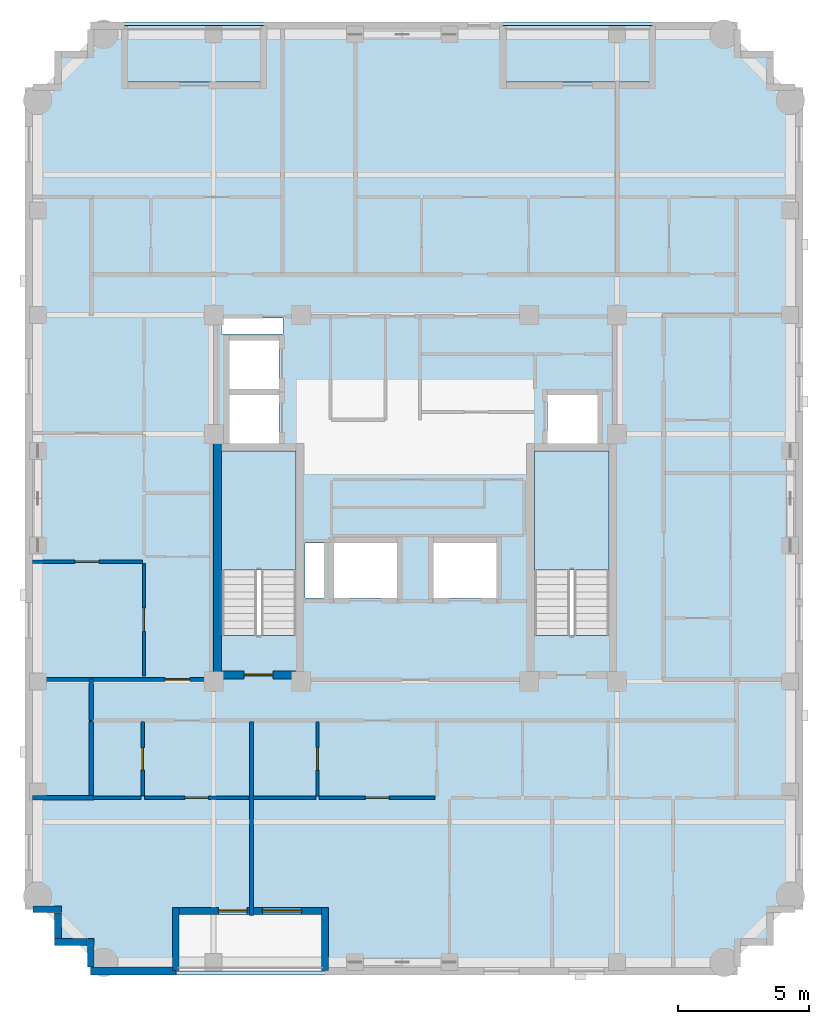
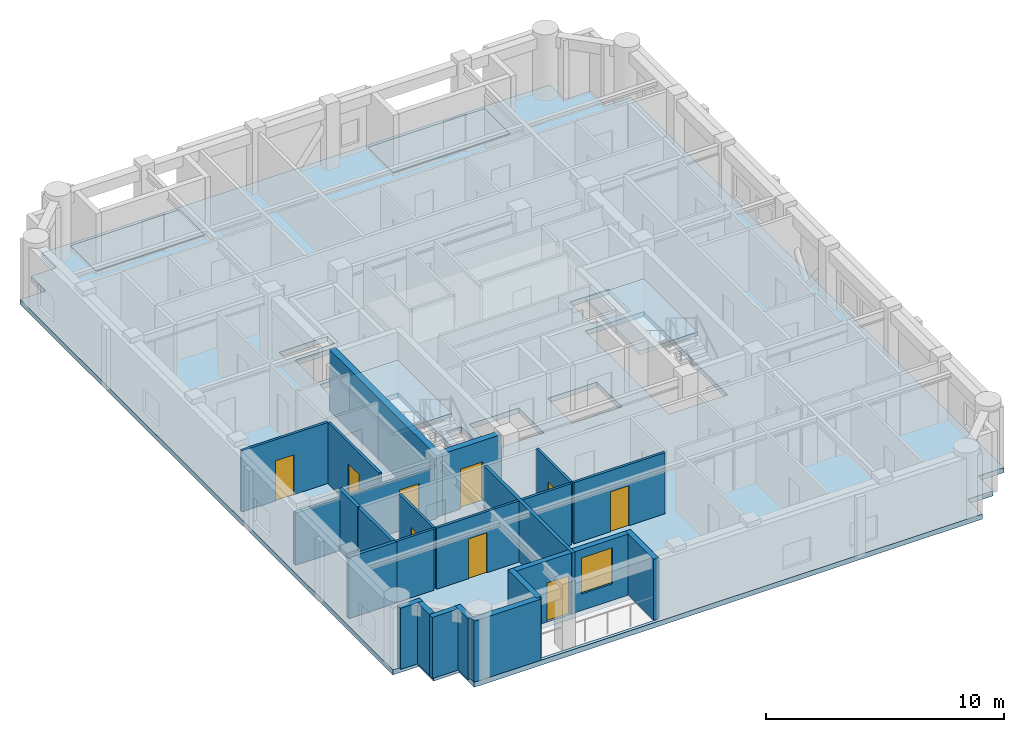
# One storey, part 2 of 10: 23 walls, 9 doors, 5 slabs, 1 window, 10 openings, 2 elements without a shape of their own.
"""IFC4 building model written with IfcOpenShell, lengths in metres."""

from ifc_helpers import new_model, si_unit, derived_unit, direction, frame, frame_2d, origin, place, context, subcontext, project, spatial, polyline, rectangle, outline, extrude, material, layer, layer_set, type_object, element, fill, aggregate, save


model = new_model("IFC4")

# Units and contexts
model_context = context("Model", 3, precision=1e-05, world=origin(), true_north=direction((0.0, 1.0)))
body_context = subcontext(model_context, "Body", "Model", "MODEL_VIEW")
ifc_project = project(units=[si_unit("LENGTHUNIT", "METRE"), si_unit("AREAUNIT", "SQUARE_METRE"), si_unit("VOLUMEUNIT", "CUBIC_METRE"), si_unit("PLANEANGLEUNIT", "RADIAN"), si_unit("MASSUNIT", "GRAM", prefix="KILO"), derived_unit("THERMALTRANSMITTANCEUNIT", [(si_unit("MASSUNIT", "GRAM", prefix="KILO"), 1), (si_unit("TIMEUNIT", "SECOND"), -3), (si_unit("THERMODYNAMICTEMPERATUREUNIT", "KELVIN"), -1)])], contexts=[model_context])

# Site, building, storey
site_placement = place(None, origin())
site = spatial("IfcSite", under=ifc_project, at=site_placement, CompositionType="ELEMENT")
building_placement = place(site_placement, origin())
building = spatial("IfcBuilding", under=site, at=building_placement, Name="Korrvale Station Residences", CompositionType="ELEMENT")
storey_placement = place(building_placement, frame((0.0, 0.0, 217.300048828125)))
storey = spatial("IfcBuildingStorey", under=building, at=storey_placement, Name="L63", CompositionType="ELEMENT", Elevation=217.300048828125)

# Slabs
ifc_material_1 = material(Name="Concrete C50/60", Category="concrete")
ifc_layer_1 = layer(ifc_material_1, 0.219970703125, Name="Concrete C50/60")
ifc_layer_set_1 = layer_set([ifc_layer_1], Name="Concrete C50/60")
slab_type_1 = type_object("IfcSlabType", Name="SLB-BAL-220", PredefinedType="FLOOR", material=ifc_layer_set_1)
slab_1_placement = place(storey_placement, frame((0.0, 0.0, -0.219970703125)))
element("IfcSlab", 1, at=slab_1_placement, inside=storey, type_object=slab_type_1, Name="L63 Recessed Loggia Balcony Slab BAL-L63-N1", PredefinedType="FLOOR", context=body_context, shape_type="SweptSolid", body=[
    extrude(outline(polyline([(28.85009765625, 37.89990234375), (34.550048828125, 37.89990234375), (34.550048828125, 40.050048828125), (28.85009765625, 40.050048828125), (28.85009765625, 37.89990234375)])), origin(), (0.0, 0.0, 1.0), 0.219970703125),
])
slab_2_placement = place(storey_placement, frame((0.0, 0.0, -0.219970703125)))
element("IfcSlab", 2, at=slab_2_placement, inside=storey, type_object=slab_type_1, Name="L63 Recessed Loggia Balcony Slab BAL-L63-N2", PredefinedType="FLOOR", context=body_context, shape_type="SweptSolid", body=[
    extrude(outline(polyline([(14.39990234375, 37.89990234375), (19.699951171875, 37.89990234375), (19.699951171875, 40.050048828125), (14.39990234375, 40.050048828125), (14.39990234375, 37.89990234375)])), origin(), (0.0, 0.0, 1.0), 0.219970703125),
])
ifc_layer_2 = layer(ifc_material_1, 0.260009765625, Name="Concrete C50/60")
ifc_layer_set_2 = layer_set([ifc_layer_2], Name="Concrete C50/60")
slab_type_2 = type_object("IfcSlabType", Name="SLB-FLR-260", PredefinedType="FLOOR", material=ifc_layer_set_2)
slab_3_placement = place(storey_placement, frame((0.0, 0.0, -0.260009765625)))
element("IfcSlab", 3, at=slab_3_placement, inside=storey, type_object=slab_type_2, Name="L63 Suspended Structural Floor Slab", PredefinedType="FLOOR", context=body_context, shape_type="SweptSolid", body=[
    extrude(outline(polyline([(13.10009765625, 3.800048828125), (37.800048828125, 3.800048828125), (37.800048828125, 5.050048828125), (39.050048828125, 5.050048828125), (39.050048828125, 6.300048828125), (40.300048828125, 6.300048828125), (40.300048828125, 37.699951171875), (39.050048828125, 37.699951171875), (39.050048828125, 38.949951171875), (37.800048828125, 38.949951171875), (37.800048828125, 40.199951171875), (13.10009765625, 40.199951171875), (13.10009765625, 38.949951171875), (11.85009765625, 38.949951171875), (11.85009765625, 37.699951171875), (10.60009765625, 37.699951171875), (10.60009765625, 6.300048828125), (11.85009765625, 6.300048828125), (11.85009765625, 5.050048828125), (13.10009765625, 5.050048828125), (13.10009765625, 3.800048828125)]), holes=[polyline([(20.949951171875, 16.751953125), (20.949951171875, 23.800048828125), (18.10009765625, 23.800048828125), (18.10009765625, 16.751953125), (20.949951171875, 16.751953125)]), polyline([(32.89990234375, 16.751953125), (32.89990234375, 23.800048828125), (30.050048828125, 23.800048828125), (30.050048828125, 16.751953125), (32.89990234375, 16.751953125)]), polyline([(18.39990234375, 24.10009765625), (20.300048828125, 24.10009765625), (20.300048828125, 25.949951171875), (18.39990234375, 25.949951171875), (18.39990234375, 24.10009765625)]), polyline([(18.39990234375, 26.169921875), (20.300048828125, 26.169921875), (20.300048828125, 28.02001953125), (18.39990234375, 28.02001953125), (18.39990234375, 26.169921875)]), polyline([(30.550048828125, 24.10009765625), (32.449951171875, 24.10009765625), (32.449951171875, 25.949951171875), (30.550048828125, 25.949951171875), (30.550048828125, 24.10009765625)]), polyline([(22.39990234375, 18.199951171875), (24.800048828125, 18.199951171875), (24.800048828125, 20.300048828125), (22.39990234375, 20.300048828125), (22.39990234375, 18.199951171875)]), polyline([(26.199951171875, 18.199951171875), (28.60009765625, 18.199951171875), (28.60009765625, 20.300048828125), (26.199951171875, 20.300048828125), (26.199951171875, 18.199951171875)]), polyline([(18.10009765625, 28.280029296875), (20.449951171875, 28.280029296875), (20.449951171875, 28.8798828125), (18.10009765625, 28.8798828125), (18.10009765625, 28.280029296875)]), polyline([(21.280029296875, 18.199951171875), (22.02001953125, 18.199951171875), (22.02001953125, 20.300048828125), (21.280029296875, 20.300048828125), (21.280029296875, 18.199951171875)]), polyline([(16.35009765625, 3.949951171875), (22.050048828125, 3.949951171875), (22.050048828125, 6.10009765625), (16.35009765625, 6.10009765625), (16.35009765625, 3.949951171875)]), polyline([(28.85009765625, 37.89990234375), (34.550048828125, 37.89990234375), (34.550048828125, 40.050048828125), (28.85009765625, 40.050048828125), (28.85009765625, 37.89990234375)]), polyline([(14.39990234375, 37.89990234375), (19.699951171875, 37.89990234375), (19.699951171875, 40.050048828125), (14.39990234375, 40.050048828125), (14.39990234375, 37.89990234375)])]), origin(), (0.0, 0.0, 1.0), 0.260009765625),
])

# Stair, slab
stair_type = type_object("IfcStairType", Name="STR-DL-1350-20R-1700", PredefinedType="HALF_TURN_STAIR", material=ifc_material_1)
stair_1_placement = place(storey_placement, origin())
stair_1 = element("IfcStair", 4, at=stair_1_placement, inside=storey, type_object=stair_type, Name="L63 Exit Stair 1", PredefinedType="HALF_TURN_STAIR")
ifc_layer_3 = layer(ifc_material_1, 0.199951171875, Name="Concrete C50/60")
ifc_layer_set_3 = layer_set([ifc_layer_3], Name="Concrete C50/60")
slab_type_3 = type_object("IfcSlabType", Name="SLB-LND-200", PredefinedType="LANDING", material=ifc_layer_set_3)
slab_4_placement = place(storey_placement, frame((0.0, 0.0, 1.5)))
slab_4 = element("IfcSlab", 5, at=slab_4_placement, type_object=slab_type_3, Name="ST-1 landing 1", PredefinedType="LANDING", context=body_context, shape_type="SweptSolid", body=[
    extrude(outline(polyline([(20.949951171875, 19.27001953125), (20.949951171875, 23.800048828125), (18.10009765625, 23.800048828125), (18.10009765625, 19.27001953125), (20.949951171875, 19.27001953125)])), origin(), (0.0, 0.0, 1.0), 0.199951171875),
])
aggregate(stair_1, [slab_4])

stair_2_placement = place(storey_placement, origin())
stair_2 = element("IfcStair", 6, at=stair_2_placement, inside=storey, type_object=stair_type, Name="L63 Exit Stair 2", PredefinedType="HALF_TURN_STAIR")
slab_5_placement = place(storey_placement, frame((0.0, 0.0, 1.5)))
slab_5 = element("IfcSlab", 7, at=slab_5_placement, type_object=slab_type_3, Name="ST-2 landing 1", PredefinedType="LANDING", context=body_context, shape_type="SweptSolid", body=[
    extrude(outline(polyline([(32.89990234375, 19.27001953125), (32.89990234375, 23.800048828125), (30.050048828125, 23.800048828125), (30.050048828125, 19.27001953125), (32.89990234375, 19.27001953125)])), origin(), (0.0, 0.0, 1.0), 0.199951171875),
])
aggregate(stair_2, [slab_5])

# Wall
ifc_layer_4 = layer(ifc_material_1, 0.300048828125, Name="Concrete C50/60")
ifc_layer_set_4 = layer_set([ifc_layer_4], Name="Concrete C50/60")
wall_type_1 = type_object("IfcWallType", Name="WAL-CORE-300-C50", PredefinedType="SHEAR", material=ifc_layer_set_4)
wall_1_placement = place(storey_placement, frame((17.949951171875, 15.10009765625, 0.0), z_axis=(0.0, 0.0, 1.0), x_axis=(0.0, 1.0, 0.0)))
element("IfcWall", 8, at=wall_1_placement, inside=storey, type_object=wall_type_1, Name="L63 ST-1 Core Shear Wall West", PredefinedType="SHEAR", context=body_context, shape_type="SweptSolid", body=[
    extrude(rectangle(XDim=9.0, YDim=0.300048828125, at=frame_2d((4.5, 0.0))), origin(), (0.0, 0.0, 1.0), 3.139892578125),
])

# Wall, opening, door
wall_2_placement = place(storey_placement, frame((18.10009765625, 15.25, 0.0), z_axis=(0.0, 0.0, 1.0), x_axis=(1.0, 0.0, 0.0)))
wall_2 = element("IfcWall", 9, at=wall_2_placement, inside=storey, type_object=wall_type_1, Name="L63 ST-1 Core Shear Wall South", PredefinedType="SHEAR", context=body_context, shape_type="SweptSolid", body=[
    extrude(rectangle(XDim=2.849853515625, YDim=0.300048828125, at=frame_2d((1.4248046875, 0.0))), origin(), (0.0, 0.0, 1.0), 3.139892578125),
])
opening_1_placement = place(wall_2_placement, frame((0.860107421875, 0.0, 0.0)))
opening_1 = element("IfcOpeningElement", 10, at=opening_1_placement, cuts=wall_2, Name="Opening SD-1100", PredefinedType="OPENING", context=body_context, shape_type="SweptSolid", body=[
    extrude(rectangle(XDim=1.10009765625, YDim=2.050048828125, at=frame_2d((0.550048828125, 1.02490234375))), frame((0.0, 0.16015625, 0.0), z_axis=(0.0, -1.0, 0.0), x_axis=(1.0, 0.0, 0.0)), (0.0, 0.0, 1.0), 0.320068359375),
])
ifc_material_2 = material(Name="Hollow-metal fire-rated stair door with closer", Category="steel")
door_type_1 = type_object("IfcDoorType", Name="DR-STAIR-1100", OperationType="NOTDEFINED", PredefinedType="DOOR", material=ifc_material_2)
door_1_placement = place(opening_1_placement, origin())
door_1 = element("IfcDoor", 11, at=door_1_placement, inside=storey, type_object=door_type_1, Name="L63 ST-1 Exit Stair Door", OperationType="SINGLE_SWING_LEFT", OverallHeight=2.050048828125, OverallWidth=1.10009765625, PredefinedType="DOOR", context=body_context, shape_type="SweptSolid", body=[
    extrude(rectangle(XDim=1.10009765625, YDim=2.050048828125, at=frame_2d((0.550048828125, 1.02490234375))), frame((0.0, 0.02490234375, 0.0), z_axis=(0.0, -1.0, 0.0), x_axis=(1.0, 0.0, 0.0)), (0.0, 0.0, 1.0), 0.050048828125),
])
fill(opening_1, door_1)

# Wall
ifc_material_3 = material(Name="Precast concrete C45/55", Category="concrete")
ifc_layer_5 = layer(ifc_material_3, 0.260009765625, Name="Precast concrete C45/55")
ifc_layer_set_5 = layer_set([ifc_layer_5], Name="Precast concrete C45/55")
wall_type_2 = type_object("IfcWallType", Name="WAL-EXT-LOG260", PredefinedType="SOLIDWALL", material=ifc_layer_set_5)
wall_3_placement = place(storey_placement, frame((22.050048828125, 3.9599609375, 0.0), z_axis=(0.0, 0.0, 1.0), x_axis=(0.0, 1.0, 0.0)))
element("IfcWall", 12, at=wall_3_placement, inside=storey, type_object=wall_type_2, Name="L63 Recessed Loggia Wall BAL-L63-S1-L", PredefinedType="SOLIDWALL", context=body_context, shape_type="SweptSolid", body=[
    extrude(rectangle(XDim=2.400146484375, YDim=0.260009765625, at=frame_2d((1.2001953125, 0.0))), origin(), (0.0, 0.0, 1.0), 3.139892578125),
])

# Wall, openings, door, window
wall_4_placement = place(storey_placement, frame((21.916015625, 6.22998046875, 0.0), z_axis=(0.0, 0.0, 1.0), x_axis=(-1.0, 0.0, 0.0)))
wall_4 = element("IfcWall", 13, at=wall_4_placement, inside=storey, type_object=wall_type_2, Name="L63 Recessed Loggia Wall BAL-L63-S1-B", PredefinedType="SOLIDWALL", context=body_context, shape_type="SweptSolid", body=[
    extrude(rectangle(XDim=5.43212890625, YDim=0.260009765625, at=frame_2d((2.716064453125, 0.0))), origin(), (0.0, 0.0, 1.0), 3.139892578125),
])
opening_2_placement = place(wall_4_placement, frame((2.8369140625, 0.0, 0.0)))
opening_2 = element("IfcOpeningElement", 14, at=opening_2_placement, cuts=wall_4, Name="Opening BD-01", PredefinedType="OPENING", context=body_context, shape_type="SweptSolid", body=[
    extrude(rectangle(XDim=1.10009765625, YDim=2.0, at=frame_2d((0.550048828125, 1.0))), frame((0.0, 0.14013671875, 0.0), z_axis=(0.0, -1.0, 0.0), x_axis=(1.0, 0.0, 0.0)), (0.0, 0.0, 1.0), 0.280029296875),
])
opening_3_placement = place(wall_4_placement, frame((0.759033203125, 0.0, 0.85009765625)))
opening_3 = element("IfcOpeningElement", 15, at=opening_3_placement, cuts=wall_4, Name="Opening W-01", PredefinedType="OPENING", context=body_context, shape_type="SweptSolid", body=[
    extrude(rectangle(XDim=1.5, YDim=1.85009765625, at=frame_2d((0.75, 0.925048828125))), frame((0.0, 0.14013671875, 0.0), z_axis=(0.0, -1.0, 0.0), x_axis=(1.0, 0.0, 0.0)), (0.0, 0.0, 1.0), 0.280029296875),
])
ifc_material_4 = material(Name="Exterior thermally broken aluminium glazed balcony door", Category="aluminium")
door_type_2 = type_object("IfcDoorType", Name="DR-EXT-BAL", OperationType="NOTDEFINED", PredefinedType="DOOR", material=ifc_material_4)
door_2_placement = place(opening_2_placement, origin())
door_2 = element("IfcDoor", 16, at=door_2_placement, inside=storey, type_object=door_type_2, Name="L63 Loggia Balcony Door BAL-L63-S1", OperationType="SINGLE_SWING_LEFT", OverallHeight=2.0, OverallWidth=1.10009765625, PredefinedType="DOOR", context=body_context, shape_type="SweptSolid", body=[
    extrude(rectangle(XDim=1.10009765625, YDim=2.0, at=frame_2d((0.550048828125, 1.0))), frame((0.0, 0.02490234375, 0.0), z_axis=(0.0, -1.0, 0.0), x_axis=(1.0, 0.0, 0.0)), (0.0, 0.0, 1.0), 0.050048828125),
])
fill(opening_2, door_2)
ifc_material_5 = material(Name="Thermally broken aluminium frame with triple low-e glazing", Category="aluminium")
window_type = type_object("IfcWindowType", Name="WIN-W01", PartitioningType="SINGLE_PANEL", PredefinedType="WINDOW", material=ifc_material_5)
window_placement = place(opening_3_placement, origin())
window = element("IfcWindow", 17, at=window_placement, inside=storey, type_object=window_type, Name="L63 Punched Window 02", OverallHeight=1.85009765625, OverallWidth=1.5, PartitioningType="SINGLE_PANEL", PredefinedType="WINDOW", context=body_context, shape_type="SweptSolid", body=[
    extrude(rectangle(XDim=1.5, YDim=1.85009765625, at=frame_2d((0.75, 0.925048828125))), frame((0.0, 0.030029296875, 0.0), z_axis=(0.0, -1.0, 0.0), x_axis=(1.0, 0.0, 0.0)), (0.0, 0.0, 1.0), 0.06005859375),
])
fill(opening_3, window)

# Walls
wall_5_placement = place(storey_placement, frame((16.35009765625, 6.360107421875, 0.0), z_axis=(0.0, 0.0, 1.0), x_axis=(0.0, -1.0, 0.0)))
element("IfcWall", 18, at=wall_5_placement, inside=storey, type_object=wall_type_2, Name="L63 Recessed Loggia Wall BAL-L63-S1-R", PredefinedType="SOLIDWALL", context=body_context, shape_type="SweptSolid", body=[
    extrude(rectangle(XDim=2.400146484375, YDim=0.260009765625, at=frame_2d((1.2001953125, 0.0))), origin(), (0.0, 0.0, 1.0), 3.139892578125),
])
wall_6_placement = place(storey_placement, frame((13.10009765625, 4.10205078125, 0.0), z_axis=(0.0, 0.0, 1.0), x_axis=(0.0, 1.0, 0.0)))
element("IfcWall", 19, at=wall_6_placement, inside=storey, type_object=wall_type_2, Name="L63 Serrated Corner Precast Step SW-1", PredefinedType="SOLIDWALL", context=body_context, shape_type="SweptSolid", body=[
    extrude(rectangle(XDim=1.077880859375, YDim=0.260009765625, at=frame_2d((0.5390625, 0.0))), origin(), (0.0, 0.0, 1.0), 3.139892578125),
])
wall_7_placement = place(storey_placement, frame((12.968017578125, 5.050048828125, 0.0), z_axis=(0.0, 0.0, 1.0), x_axis=(-1.0, 0.0, 0.0)))
element("IfcWall", 20, at=wall_7_placement, inside=storey, type_object=wall_type_2, Name="L63 Serrated Corner Precast Step SW-2", PredefinedType="SOLIDWALL", context=body_context, shape_type="SweptSolid", body=[
    extrude(rectangle(XDim=1.248046875, YDim=0.260009765625, at=frame_2d((0.6240234375, 0.0))), origin(), (0.0, 0.0, 1.0), 3.139892578125),
])
wall_8_placement = place(storey_placement, frame((11.85009765625, 5.181884765625, 0.0), z_axis=(0.0, 0.0, 1.0), x_axis=(0.0, 1.0, 0.0)))
element("IfcWall", 21, at=wall_8_placement, inside=storey, type_object=wall_type_2, Name="L63 Serrated Corner Precast Step SW-3", PredefinedType="SOLIDWALL", context=body_context, shape_type="SweptSolid", body=[
    extrude(rectangle(XDim=0.986083984375, YDim=0.260009765625, at=frame_2d((0.4931640625, 0.0))), origin(), (0.0, 0.0, 1.0), 3.139892578125),
])
wall_9_placement = place(storey_placement, frame((11.97998046875, 6.300048828125, 0.0), z_axis=(0.0, 0.0, 1.0), x_axis=(-1.0, 0.0, 0.0)))
element("IfcWall", 22, at=wall_9_placement, inside=storey, type_object=wall_type_2, Name="L63 Serrated Corner Precast Step SW-4", PredefinedType="SOLIDWALL", context=body_context, shape_type="SweptSolid", body=[
    extrude(rectangle(XDim=1.077880859375, YDim=0.260009765625, at=frame_2d((0.5390625, 0.0))), origin(), (0.0, 0.0, 1.0), 3.139892578125),
])
ifc_layer_6 = layer(ifc_material_3, 0.300048828125, Name="Precast concrete C45/55")
ifc_layer_set_6 = layer_set([ifc_layer_6], Name="Precast concrete C45/55")
wall_type_3 = type_object("IfcWallType", Name="WAL-EXT-PC300", PredefinedType="SOLIDWALL", material=ifc_layer_set_6)
wall_10_placement = place(storey_placement, frame((16.35009765625, 3.949951171875, 0.0), z_axis=(0.0, 0.0, 1.0), x_axis=(-1.0, 0.0, 0.0)))
element("IfcWall", 23, at=wall_10_placement, inside=storey, type_object=wall_type_3, Name="L63 South Exterior Precast Wall 2", PredefinedType="SOLIDWALL", context=body_context, shape_type="SweptSolid", body=[
    extrude(rectangle(XDim=3.25, YDim=0.300048828125, at=frame_2d((1.625, 0.0))), origin(), (0.0, 0.0, 1.0), 3.139892578125),
])

# Wall, opening, door
ifc_material_6 = material(Name="Acoustic steel-stud gypsum board partition", Category="steel")
ifc_layer_7 = layer(ifc_material_6, 0.1201171875, Name="Acoustic steel-stud gypsum board partition")
ifc_layer_set_7 = layer_set([ifc_layer_7], Name="Acoustic steel-stud gypsum board partition")
wall_type_4 = type_object("IfcWallType", Name="WAL-PART-125", PredefinedType="PARTITIONING", material=ifc_layer_set_7)
wall_11_placement = place(storey_placement, frame((15.090087890625, 10.6201171875, 0.0), z_axis=(0.0, 0.0, 1.0), x_axis=(0.0, 1.0, 0.0)))
wall_11 = element("IfcWall", 24, at=wall_11_placement, inside=storey, type_object=wall_type_4, Name="L63 Suite Partition U01-V01", PredefinedType="PARTITIONING", context=body_context, shape_type="SweptSolid", body=[
    extrude(rectangle(XDim=2.849853515625, YDim=0.1201171875, at=frame_2d((1.4248046875, 0.0))), origin(), (0.0, 0.0, 1.0), 3.139892578125),
])
opening_4_placement = place(wall_11_placement, frame((0.9951171875, 0.0, 0.0)))
opening_4 = element("IfcOpeningElement", 25, at=opening_4_placement, cuts=wall_11, Name="Opening DB-860", PredefinedType="OPENING", context=body_context, shape_type="SweptSolid", body=[
    extrude(rectangle(XDim=0.860107421875, YDim=2.050048828125, at=frame_2d((0.43017578125, 1.02490234375))), frame((0.0, 0.070068359375, 0.0), z_axis=(0.0, -1.0, 0.0), x_axis=(1.0, 0.0, 0.0)), (0.0, 0.0, 1.0), 0.14013671875),
])
ifc_material_7 = material(Name="Moisture-resistant solid-core bathroom door", Category="timber")
door_type_3 = type_object("IfcDoorType", Name="DR-BATH-860", OperationType="NOTDEFINED", PredefinedType="DOOR", material=ifc_material_7)
door_3_placement = place(opening_4_placement, origin())
door_3 = element("IfcDoor", 26, at=door_3_placement, inside=storey, type_object=door_type_3, Name="L63 Studio Apartment L63-U01 Bathroom Door", OperationType="SINGLE_SWING_LEFT", OverallHeight=2.050048828125, OverallWidth=0.860107421875, PredefinedType="DOOR", context=body_context, shape_type="SweptSolid", body=[
    extrude(rectangle(XDim=0.860107421875, YDim=2.050048828125, at=frame_2d((0.43017578125, 1.02490234375))), frame((0.0, 0.02490234375, 0.0), z_axis=(0.0, -1.0, 0.0), x_axis=(1.0, 0.0, 0.0)), (0.0, 0.0, 1.0), 0.050048828125),
])
fill(opening_4, door_3)

# Wall
wall_12_placement = place(storey_placement, frame((13.179931640625, 10.56005859375, 0.0), z_axis=(0.0, 0.0, 1.0), x_axis=(1.0, 0.0, 0.0)))
element("IfcWall", 27, at=wall_12_placement, inside=storey, type_object=wall_type_4, Name="L63 Suite Partition U01-H02", PredefinedType="PARTITIONING", context=body_context, shape_type="SweptSolid", body=[
    extrude(rectangle(XDim=1.85009765625, YDim=0.1201171875, at=frame_2d((0.925048828125, 0.0))), origin(), (0.0, 0.0, 1.0), 3.139892578125),
])

# Wall, opening, door
wall_13_placement = place(storey_placement, frame((15.14990234375, 10.56005859375, 0.0), z_axis=(0.0, 0.0, 1.0), x_axis=(1.0, 0.0, 0.0)))
wall_13 = element("IfcWall", 28, at=wall_13_placement, inside=storey, type_object=wall_type_4, Name="L63 Suite Partition U01-H12", PredefinedType="PARTITIONING", context=body_context, shape_type="SweptSolid", body=[
    extrude(rectangle(XDim=3.989013671875, YDim=0.1201171875, at=frame_2d((1.99462890625, 0.0))), origin(), (0.0, 0.0, 1.0), 3.139892578125),
])
opening_5_placement = place(wall_13_placement, frame((1.5439453125, 0.0, 0.0)))
opening_5 = element("IfcOpeningElement", 29, at=opening_5_placement, cuts=wall_13, Name="Opening DI-900", PredefinedType="OPENING", context=body_context, shape_type="SweptSolid", body=[
    extrude(rectangle(XDim=0.89990234375, YDim=2.050048828125, at=frame_2d((0.449951171875, 1.02490234375))), frame((0.0, 0.070068359375, 0.0), z_axis=(0.0, -1.0, 0.0), x_axis=(1.0, 0.0, 0.0)), (0.0, 0.0, 1.0), 0.14013671875),
])
ifc_material_8 = material(Name="Painted solid-core timber interior room door", Category="wood")
door_type_4 = type_object("IfcDoorType", Name="DR-INT-900", OperationType="NOTDEFINED", PredefinedType="DOOR", material=ifc_material_8)
door_4_placement = place(opening_5_placement, origin())
door_4 = element("IfcDoor", 30, at=door_4_placement, inside=storey, type_object=door_type_4, Name="L63 Studio Apartment L63-U01 Kitchen Door", OperationType="SINGLE_SWING_RIGHT", OverallHeight=2.050048828125, OverallWidth=0.89990234375, PredefinedType="DOOR", context=body_context, shape_type="SweptSolid", body=[
    extrude(rectangle(XDim=0.89990234375, YDim=2.050048828125, at=frame_2d((0.449951171875, 1.02490234375))), frame((0.0, 0.02490234375, 0.0), z_axis=(0.0, -1.0, 0.0), x_axis=(1.0, 0.0, 0.0)), (0.0, 0.0, 1.0), 0.050048828125),
])
fill(opening_5, door_4)

wall_14_placement = place(storey_placement, frame((21.759033203125, 10.6201171875, 0.0), z_axis=(0.0, 0.0, 1.0), x_axis=(0.0, 1.0, 0.0)))
wall_14 = element("IfcWall", 31, at=wall_14_placement, inside=storey, type_object=wall_type_4, Name="L63 Suite Partition U02-V01", PredefinedType="PARTITIONING", context=body_context, shape_type="SweptSolid", body=[
    extrude(rectangle(XDim=2.849853515625, YDim=0.1201171875, at=frame_2d((1.4248046875, 0.0))), origin(), (0.0, 0.0, 1.0), 3.139892578125),
])
opening_6_placement = place(wall_14_placement, frame((0.9951171875, 0.0, 0.0)))
opening_6 = element("IfcOpeningElement", 32, at=opening_6_placement, cuts=wall_14, Name="Opening DB-860", PredefinedType="OPENING", context=body_context, shape_type="SweptSolid", body=[
    extrude(rectangle(XDim=0.860107421875, YDim=2.050048828125, at=frame_2d((0.43017578125, 1.02490234375))), frame((0.0, 0.070068359375, 0.0), z_axis=(0.0, -1.0, 0.0), x_axis=(1.0, 0.0, 0.0)), (0.0, 0.0, 1.0), 0.14013671875),
])
door_5_placement = place(opening_6_placement, origin())
door_5 = element("IfcDoor", 33, at=door_5_placement, inside=storey, type_object=door_type_3, Name="L63 Apartment 2BR L63-U02 Bathroom Door", OperationType="SINGLE_SWING_LEFT", OverallHeight=2.050048828125, OverallWidth=0.860107421875, PredefinedType="DOOR", context=body_context, shape_type="SweptSolid", body=[
    extrude(rectangle(XDim=0.860107421875, YDim=2.050048828125, at=frame_2d((0.43017578125, 1.02490234375))), frame((0.0, 0.02490234375, 0.0), z_axis=(0.0, -1.0, 0.0), x_axis=(1.0, 0.0, 0.0)), (0.0, 0.0, 1.0), 0.050048828125),
])
fill(opening_6, door_5)

# Wall
wall_15_placement = place(storey_placement, frame((19.299072265625, 10.56005859375, 0.0), z_axis=(0.0, 0.0, 1.0), x_axis=(1.0, 0.0, 0.0)))
element("IfcWall", 34, at=wall_15_placement, inside=storey, type_object=wall_type_4, Name="L63 Suite Partition U02-H05", PredefinedType="PARTITIONING", context=body_context, shape_type="SweptSolid", body=[
    extrude(rectangle(XDim=2.39990234375, YDim=0.1201171875, at=frame_2d((1.199951171875, 0.0))), origin(), (0.0, 0.0, 1.0), 3.139892578125),
])

# Wall, opening, door
wall_16_placement = place(storey_placement, frame((21.819091796875, 10.56005859375, 0.0), z_axis=(0.0, 0.0, 1.0), x_axis=(1.0, 0.0, 0.0)))
wall_16 = element("IfcWall", 35, at=wall_16_placement, inside=storey, type_object=wall_type_4, Name="L63 Suite Partition U02-H15", PredefinedType="PARTITIONING", context=body_context, shape_type="SweptSolid", body=[
    extrude(rectangle(XDim=4.43994140625, YDim=0.1201171875, at=frame_2d((2.219970703125, 0.0))), origin(), (0.0, 0.0, 1.0), 3.139892578125),
])
opening_7_placement = place(wall_16_placement, frame((1.77001953125, 0.0, 0.0)))
opening_7 = element("IfcOpeningElement", 36, at=opening_7_placement, cuts=wall_16, Name="Opening DI-900", PredefinedType="OPENING", context=body_context, shape_type="SweptSolid", body=[
    extrude(rectangle(XDim=0.89990234375, YDim=2.050048828125, at=frame_2d((0.449951171875, 1.02490234375))), frame((0.0, 0.070068359375, 0.0), z_axis=(0.0, -1.0, 0.0), x_axis=(1.0, 0.0, 0.0)), (0.0, 0.0, 1.0), 0.14013671875),
])
door_6_placement = place(opening_7_placement, origin())
door_6 = element("IfcDoor", 37, at=door_6_placement, inside=storey, type_object=door_type_4, Name="L63 Apartment 2BR L63-U02 Kitchen Door", OperationType="SINGLE_SWING_LEFT", OverallHeight=2.050048828125, OverallWidth=0.89990234375, PredefinedType="DOOR", context=body_context, shape_type="SweptSolid", body=[
    extrude(rectangle(XDim=0.89990234375, YDim=2.050048828125, at=frame_2d((0.449951171875, 1.02490234375))), frame((0.0, 0.02490234375, 0.0), z_axis=(0.0, -1.0, 0.0), x_axis=(1.0, 0.0, 0.0)), (0.0, 0.0, 1.0), 0.050048828125),
])
fill(opening_7, door_6)

wall_17_placement = place(storey_placement, frame((15.1298828125, 15.2099609375, 0.0), z_axis=(0.0, 0.0, 1.0), x_axis=(0.0, 1.0, 0.0)))
wall_17 = element("IfcWall", 38, at=wall_17_placement, inside=storey, type_object=wall_type_4, Name="L63 Suite Partition U06-V23", PredefinedType="PARTITIONING", context=body_context, shape_type="SweptSolid", body=[
    extrude(rectangle(XDim=4.30810546875, YDim=0.1201171875, at=frame_2d((2.154052734375, 0.0))), origin(), (0.0, 0.0, 1.0), 3.139892578125),
])
opening_8_placement = place(wall_17_placement, frame((1.7041015625, 0.0, 0.0)))
opening_8 = element("IfcOpeningElement", 39, at=opening_8_placement, cuts=wall_17, Name="Opening DI-900", PredefinedType="OPENING", context=body_context, shape_type="SweptSolid", body=[
    extrude(rectangle(XDim=0.89990234375, YDim=2.050048828125, at=frame_2d((0.449951171875, 1.02490234375))), frame((0.0, 0.070068359375, 0.0), z_axis=(0.0, -1.0, 0.0), x_axis=(1.0, 0.0, 0.0)), (0.0, 0.0, 1.0), 0.14013671875),
])
door_7_placement = place(opening_8_placement, origin())
door_7 = element("IfcDoor", 40, at=door_7_placement, inside=storey, type_object=door_type_4, Name="L63 Apartment 2BR L63-U06 Kitchen Door", OperationType="SINGLE_SWING_LEFT", OverallHeight=2.050048828125, OverallWidth=0.89990234375, PredefinedType="DOOR", context=body_context, shape_type="SweptSolid", body=[
    extrude(rectangle(XDim=0.89990234375, YDim=2.050048828125, at=frame_2d((0.449951171875, 1.02490234375))), frame((0.0, 0.02490234375, 0.0), z_axis=(0.0, -1.0, 0.0), x_axis=(1.0, 0.0, 0.0)), (0.0, 0.0, 1.0), 0.050048828125),
])
fill(opening_8, door_7)

wall_18_placement = place(storey_placement, frame((10.8798828125, 19.577880859375, 0.0), z_axis=(0.0, 0.0, 1.0), x_axis=(1.0, 0.0, 0.0)))
wall_18 = element("IfcWall", 41, at=wall_18_placement, inside=storey, type_object=wall_type_4, Name="L63 Suite Partition U06-H34", PredefinedType="PARTITIONING", context=body_context, shape_type="SweptSolid", body=[
    extrude(rectangle(XDim=4.190185546875, YDim=0.1201171875, at=frame_2d((2.09521484375, 0.0))), origin(), (0.0, 0.0, 1.0), 3.139892578125),
])
opening_9_placement = place(wall_18_placement, frame((1.6298828125, 0.0, 0.0)))
opening_9 = element("IfcOpeningElement", 42, at=opening_9_placement, cuts=wall_18, Name="Opening DI-900", PredefinedType="OPENING", context=body_context, shape_type="SweptSolid", body=[
    extrude(rectangle(XDim=0.89990234375, YDim=2.050048828125, at=frame_2d((0.449951171875, 1.02490234375))), frame((0.0, 0.070068359375, 0.0), z_axis=(0.0, -1.0, 0.0), x_axis=(1.0, 0.0, 0.0)), (0.0, 0.0, 1.0), 0.14013671875),
])
door_8_placement = place(opening_9_placement, origin())
door_8 = element("IfcDoor", 43, at=door_8_placement, inside=storey, type_object=door_type_4, Name="L63 Apartment 2BR L63-U06 Bedroom 1 Door", OperationType="SINGLE_SWING_RIGHT", OverallHeight=2.050048828125, OverallWidth=0.89990234375, PredefinedType="DOOR", context=body_context, shape_type="SweptSolid", body=[
    extrude(rectangle(XDim=0.89990234375, YDim=2.050048828125, at=frame_2d((0.449951171875, 1.02490234375))), frame((0.0, 0.02490234375, 0.0), z_axis=(0.0, -1.0, 0.0), x_axis=(1.0, 0.0, 0.0)), (0.0, 0.0, 1.0), 0.050048828125),
])
fill(opening_9, door_8)

# Walls
ifc_material_9 = material(Name="Fire-rated twin-stud gypsum and mineral wool shaftwall assembly", Category="gypsum")
ifc_layer_8 = layer(ifc_material_9, 0.159912109375, Name="Fire-rated twin-stud gypsum and mineral wool shaftwall assembly")
ifc_layer_set_8 = layer_set([ifc_layer_8], Name="Fire-rated twin-stud gypsum and mineral wool shaftwall assembly")
wall_type_5 = type_object("IfcWallType", Name="WAL-PART-200", PredefinedType="PARTITIONING", material=ifc_layer_set_8)
wall_19_placement = place(storey_placement, frame((13.1201171875, 13.510009765625, 0.0), z_axis=(0.0, 0.0, 1.0), x_axis=(0.0, 1.0, 0.0)))
element("IfcWall", 44, at=wall_19_placement, inside=storey, type_object=wall_type_5, Name="L63 Corridor South West Cap", PredefinedType="PARTITIONING", context=body_context, shape_type="SweptSolid", body=[
    extrude(rectangle(XDim=1.580078125, YDim=0.159912109375, at=frame_2d((0.7900390625, 0.0))), origin(), (0.0, 0.0, 1.0), 3.139892578125),
])
wall_20_placement = place(storey_placement, frame((10.8798828125, 10.56005859375, 0.0), z_axis=(0.0, 0.0, 1.0), x_axis=(1.0, 0.0, 0.0)))
element("IfcWall", 45, at=wall_20_placement, inside=storey, type_object=wall_type_5, Name="L63 Corner Step Wall U01-L", PredefinedType="PARTITIONING", context=body_context, shape_type="SweptSolid", body=[
    extrude(rectangle(XDim=2.340087890625, YDim=0.159912109375, at=frame_2d((1.169921875, 0.0))), origin(), (0.0, 0.0, 1.0), 3.139892578125),
])
wall_21_placement = place(storey_placement, frame((13.1201171875, 10.56005859375, 0.0), z_axis=(0.0, 0.0, 1.0), x_axis=(0.0, 1.0, 0.0)))
element("IfcWall", 46, at=wall_21_placement, inside=storey, type_object=wall_type_5, Name="L63 Corner Step Cheek U01-L", PredefinedType="PARTITIONING", context=body_context, shape_type="SweptSolid", body=[
    extrude(rectangle(XDim=2.909912109375, YDim=0.159912109375, at=frame_2d((1.455078125, 0.0))), origin(), (0.0, 0.0, 1.0), 3.139892578125),
])
wall_22_placement = place(storey_placement, frame((19.239013671875, 6.06005859375, 0.0), z_axis=(0.0, 0.0, 1.0), x_axis=(0.0, 1.0, 0.0)))
element("IfcWall", 47, at=wall_22_placement, inside=storey, type_object=wall_type_5, Name="L63 Demising Wall U02-W", PredefinedType="PARTITIONING", context=body_context, shape_type="SweptSolid", body=[
    extrude(rectangle(XDim=7.409912109375, YDim=0.159912109375, at=frame_2d((3.705078125, 0.0))), origin(), (0.0, 0.0, 1.0), 3.139892578125),
])

# Wall, opening, door
wall_23_placement = place(storey_placement, frame((10.8798828125, 15.080078125, 0.0), z_axis=(0.0, 0.0, 1.0), x_axis=(1.0, 0.0, 0.0)))
wall_23 = element("IfcWall", 48, at=wall_23_placement, inside=storey, type_object=wall_type_5, Name="L63 Side Suite South Entry Wall U06", PredefinedType="PARTITIONING", context=body_context, shape_type="SweptSolid", body=[
    extrude(rectangle(XDim=6.880126953125, YDim=0.159912109375, at=frame_2d((3.43994140625, 0.0))), origin(), (0.0, 0.0, 1.0), 2.66796875),
])
opening_10_placement = place(wall_23_placement, frame((5.06005859375, 0.0, 0.0)))
opening_10 = element("IfcOpeningElement", 49, at=opening_10_placement, cuts=wall_23, Name="Opening UD-950", PredefinedType="OPENING", context=body_context, shape_type="SweptSolid", body=[
    extrude(rectangle(XDim=0.949951171875, YDim=2.10009765625, at=frame_2d((0.47509765625, 1.050048828125))), frame((0.0, 0.08984375, 0.0), z_axis=(0.0, -1.0, 0.0), x_axis=(1.0, 0.0, 0.0)), (0.0, 0.0, 1.0), 0.179931640625),
])
ifc_material_10 = material(Name="Solid-core acoustic oak apartment entrance door", Category="timber")
door_type_5 = type_object("IfcDoorType", Name="DR-UNIT-950", OperationType="NOTDEFINED", PredefinedType="DOOR", material=ifc_material_10)
door_9_placement = place(opening_10_placement, origin())
door_9 = element("IfcDoor", 50, at=door_9_placement, inside=storey, type_object=door_type_5, Name="L63 Apartment L63-U06 Entrance Door", OperationType="SINGLE_SWING_LEFT", OverallHeight=2.10009765625, OverallWidth=0.949951171875, PredefinedType="DOOR", context=body_context, shape_type="SweptSolid", body=[
    extrude(rectangle(XDim=0.949951171875, YDim=2.10009765625, at=frame_2d((0.47509765625, 1.050048828125))), frame((0.0, 0.02490234375, 0.0), z_axis=(0.0, -1.0, 0.0), x_axis=(1.0, 0.0, 0.0)), (0.0, 0.0, 1.0), 0.050048828125),
])
fill(opening_10, door_9)

save(model, "model.ifc")
